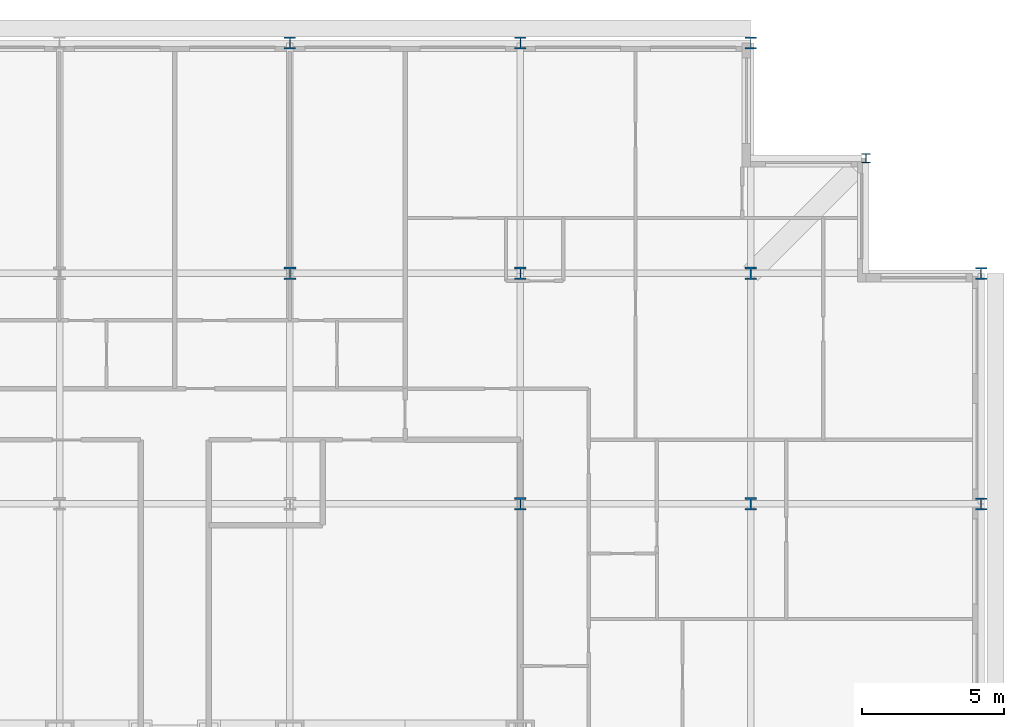
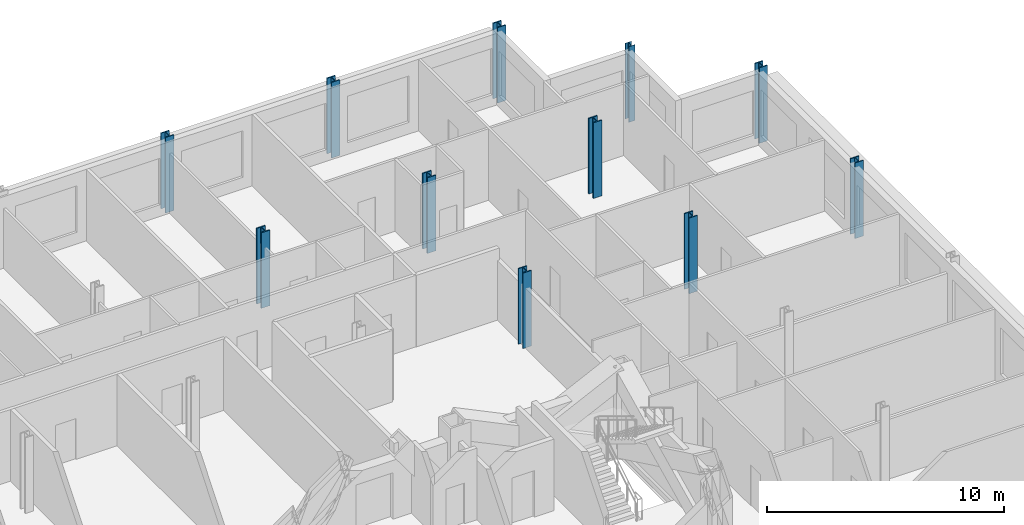
# One storey, part 4 of 15: 11 columns.
"""IFC4 building model written with IfcOpenShell, lengths in metres."""

from ifc_helpers import new_model, si_unit, direction, frame, origin, origin_2d, place, context, subcontext, project, spatial, i_section, extrude, material, material_profile, profile_set, type_object, element, save


model = new_model("IFC4")

# Units and contexts
model_context = context("Model", 3, precision=1e-05, world=origin(), true_north=direction((0.0, 1.0)))
body_context = subcontext(model_context, "Body", "Model", "MODEL_VIEW")
ifc_project = project(units=[si_unit("LENGTHUNIT", "METRE"), si_unit("AREAUNIT", "SQUARE_METRE"), si_unit("VOLUMEUNIT", "CUBIC_METRE"), si_unit("PLANEANGLEUNIT", "RADIAN"), si_unit("MASSUNIT", "GRAM", prefix="KILO")], contexts=[model_context])

# Site, building, storey
site_placement = place(None, origin())
site = spatial("IfcSite", under=ifc_project, at=site_placement, CompositionType="ELEMENT")
building_placement = place(site_placement, origin())
building = spatial("IfcBuilding", under=site, at=building_placement, Name="Kopane Lantern Tower", CompositionType="ELEMENT")
storey_placement = place(building_placement, frame((0.0, 0.0, 273.60009765625)))
storey = spatial("IfcBuildingStorey", under=building, at=storey_placement, Name="L70", CompositionType="ELEMENT", Elevation=273.60009765625)

# Columns
ifc_material_1 = material(Name="Steel S355JR", Category="steel")
ifc_material_profile_1 = material_profile(ifc_material_1, i_section(OverallWidth=0.307373046875, OverallDepth=0.314453125, WebThickness=0.011962890625, FlangeThickness=0.018798828125, FilletRadius=0.01513671875, at=origin_2d()), Name="UC 305x305x118")
ifc_profile_set_1 = profile_set([ifc_material_profile_1], Name="Steel S355JR")
column_type_1 = type_object("IfcColumnType", Name="COLUMN UC 305x305x118", PredefinedType="COLUMN", material=ifc_profile_set_1)
column_placement = place(storey_placement, frame((52.64990234375, 60.75, 0.0), z_axis=(0.0, 0.0, 1.0), x_axis=(1.0, 0.0, 0.0)))
element("IfcColumn", 1, at=column_placement, inside=storey, type_object=column_type_1, Name="Column 52.65/60.75 L70", PredefinedType="COLUMN", context=body_context, shape_type="SweptSolid", body=[
    extrude(i_section(OverallWidth=0.307373046875, OverallDepth=0.314453125, WebThickness=0.011962890625, FlangeThickness=0.018798828125, FilletRadius=0.01513671875, at=origin_2d()), origin(), (0.0, 0.0, 1.0), 3.89990234375),
])
ifc_material_2 = material(Name="Steel S355JR", Category="steel")
ifc_material_profile_2 = material_profile(ifc_material_2, i_section(OverallWidth=0.406982421875, OverallDepth=0.4189453125, WebThickness=0.030517578125, FlangeThickness=0.04931640625, FilletRadius=0.01513671875, at=origin_2d()), Name="UC 356x406x393")
ifc_profile_set_2 = profile_set([ifc_material_profile_2], Name="Steel S355JR")
column_type_2 = type_object("IfcColumnType", Name="COLUMN UC 356x406x393", PredefinedType="COLUMN", material=ifc_profile_set_2)
for number, where, z_axis, x_axis, name in (
    (2, (32.39990234375, 64.800048828125, 0.0), (0.0, 0.0, 1.0), (1.0, 0.0, 0.0), "Column 6/K L70"),
    (3, (40.5, 64.800048828125, 0.0), (0.0, 0.0, 1.0), (1.0, 0.0, 0.0), "Column 7/K L70"),
    (4, (48.60009765625, 64.800048828125, 0.0), (0.0, 0.0, 1.0), (1.0, 0.0, 0.0), "Column 8/K L70"),
    (5, (56.699951171875, 48.60009765625, 0.0), (0.0, 0.0, 1.0), (1.0, 0.0, 0.0), "Column 9/H L70"),
    (6, (56.699951171875, 56.699951171875, 0.0), (0.0, 0.0, 1.0), (1.0, 0.0, 0.0), "Column 9/J L70"),
):
    element("IfcColumn", number, at=place(storey_placement, frame(where, z_axis=z_axis, x_axis=x_axis)), inside=storey, type_object=column_type_2, Name=name, PredefinedType="COLUMN", context=body_context, shape_type="SweptSolid", body=[
        extrude(i_section(OverallWidth=0.406982421875, OverallDepth=0.4189453125, WebThickness=0.030517578125, FlangeThickness=0.04931640625, FilletRadius=0.01513671875, at=origin_2d()), origin(), (0.0, 0.0, 1.0), 3.89990234375),
    ])
ifc_material_3 = material(Name="Steel S355JR", Category="steel")
ifc_material_profile_3 = material_profile(ifc_material_3, i_section(OverallWidth=0.412109375, OverallDepth=0.4365234375, WebThickness=0.035888671875, FlangeThickness=0.05810546875, FilletRadius=0.01513671875, at=origin_2d()), Name="UC 356x406x467")
ifc_profile_set_3 = profile_set([ifc_material_profile_3], Name="Steel S355JR")
column_type_3 = type_object("IfcColumnType", Name="COLUMN UC 356x406x467", PredefinedType="COLUMN", material=ifc_profile_set_3)
for number, where, z_axis, x_axis, name in (
    (7, (32.39990234375, 56.699951171875, 0.0), (0.0, 0.0, 1.0), (1.0, 0.0, 0.0), "Column 6/J L70"),
    (8, (40.5, 48.60009765625, 0.0), (0.0, 0.0, 1.0), (1.0, 0.0, 0.0), "Column 7/H L70"),
    (9, (40.5, 56.699951171875, 0.0), (0.0, 0.0, 1.0), (1.0, 0.0, 0.0), "Column 7/J L70"),
    (10, (48.60009765625, 48.60009765625, 0.0), (0.0, 0.0, 1.0), (1.0, 0.0, 0.0), "Column 8/H L70"),
    (11, (48.60009765625, 56.699951171875, 0.0), (0.0, 0.0, 1.0), (1.0, 0.0, 0.0), "Column 8/J L70"),
):
    element("IfcColumn", number, at=place(storey_placement, frame(where, z_axis=z_axis, x_axis=x_axis)), inside=storey, type_object=column_type_3, Name=name, PredefinedType="COLUMN", context=body_context, shape_type="SweptSolid", body=[
        extrude(i_section(OverallWidth=0.412109375, OverallDepth=0.4365234375, WebThickness=0.035888671875, FlangeThickness=0.05810546875, FilletRadius=0.01513671875, at=origin_2d()), origin(), (0.0, 0.0, 1.0), 3.89990234375),
    ])

save(model, "model.ifc")
